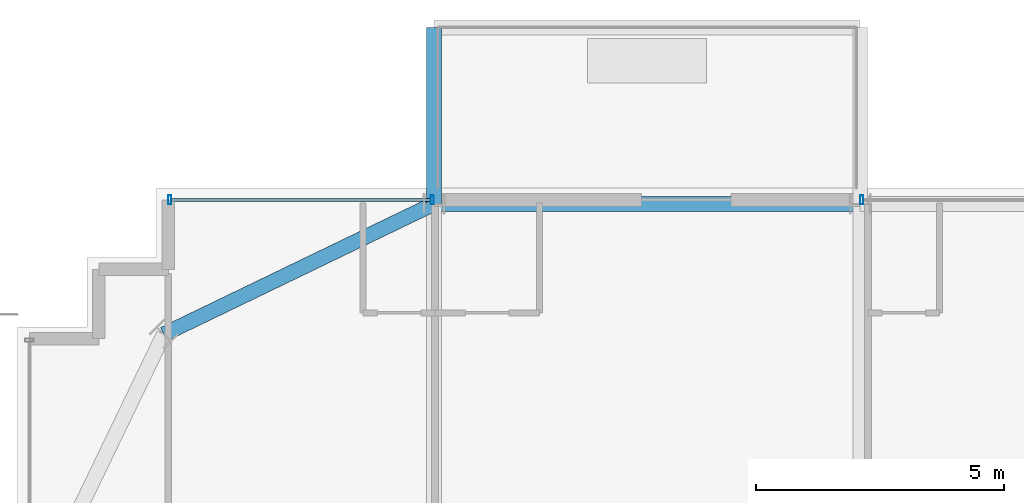
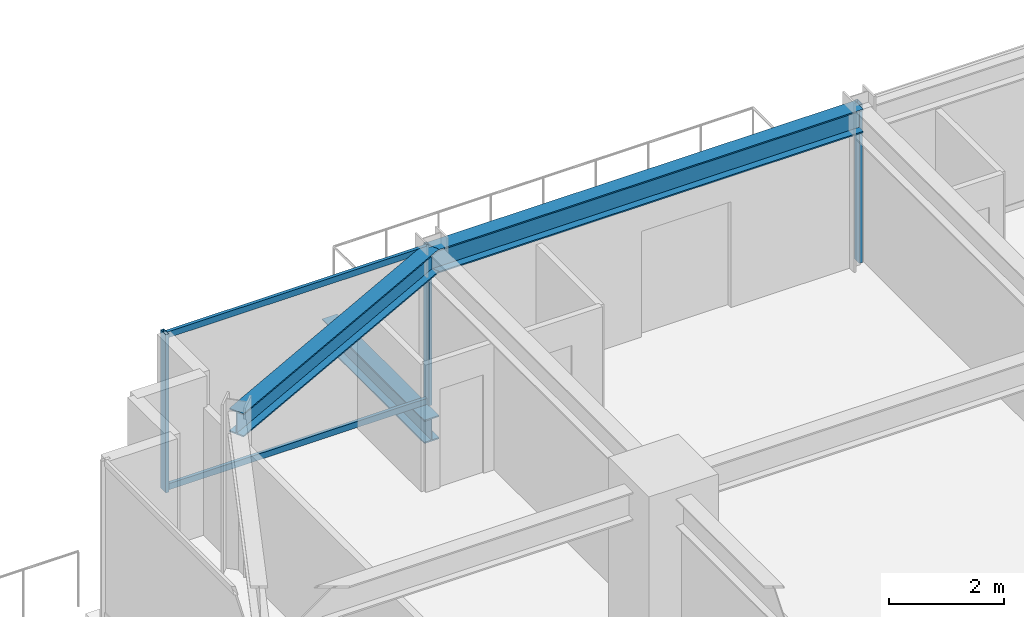
# One storey, part 22 of 39: 5 members, 3 beams, 2 elements without a shape of their own.
"""IFC4 building model written with IfcOpenShell, lengths in metres."""

from ifc_helpers import new_model, si_unit, direction, frame, origin, origin_2d, place, context, subcontext, project, spatial, hollow_rectangle, i_section, extrude, source, transform, mapped, material, material_profile, profile_set, type_object, element, aggregate, save


model = new_model("IFC4")

# Units and contexts
model_context = context("Model", 3, precision=1e-05, world=origin(), true_north=direction((0.0, 1.0)))
body_context = subcontext(model_context, "Body", "Model", "MODEL_VIEW")
ifc_project = project(units=[si_unit("LENGTHUNIT", "METRE"), si_unit("AREAUNIT", "SQUARE_METRE"), si_unit("VOLUMEUNIT", "CUBIC_METRE"), si_unit("PLANEANGLEUNIT", "RADIAN"), si_unit("MASSUNIT", "GRAM", prefix="KILO")], contexts=[model_context])

# Site, building, storey
site_placement = place(None, origin())
site = spatial("IfcSite", under=ifc_project, at=site_placement, CompositionType="ELEMENT")
building_placement = place(site_placement, origin())
building = spatial("IfcBuilding", under=site, at=building_placement, Name="Nahalor Promenade Grand Hotel", CompositionType="ELEMENT")
storey_placement = place(building_placement, frame((0.0, 0.0, 32.39990234375)))
storey = spatial("IfcBuildingStorey", under=building, at=storey_placement, Name="L06", CompositionType="ELEMENT", Elevation=32.39990234375)

# Beams
ifc_material_1 = material(Name="Steel S355JR", Category="steel")
ifc_material_profile_1 = material_profile(ifc_material_1, i_section(OverallWidth=0.3, OverallDepth=0.5, WebThickness=0.0145, FlangeThickness=0.028, at=origin_2d()), Name="HEB 500")
ifc_profile_set_1 = profile_set([ifc_material_profile_1], Name="Steel S355JR")
beam_type_1 = type_object("IfcBeamType", Name="Beam-Outrigger-HEB500", PredefinedType="BEAM", material=ifc_profile_set_1)
shared_shape_1 = source(origin(), body_context, "Body", "SweptSolid", [
    extrude(i_section(OverallWidth=0.3, OverallDepth=0.5, WebThickness=0.0145, FlangeThickness=0.028, at=origin_2d()), origin(), (0.0, 0.0, 1.0), 3.559814453125),
])
beam_1_placement = place(storey_placement, frame((-17.0, 25.080078125, -0.52978515625), z_axis=(0.0, 1.0, 0.0), x_axis=(-1.0, 0.0, 0.0)))
element("IfcBeam", 1, at=beam_1_placement, inside=storey, type_object=beam_type_1, Name="BM-L06-BC-01-1", PredefinedType="BEAM", context=body_context, shape_type="MappedRepresentation", body=[
    mapped(shared_shape_1, transform((0.0, 0.0, 0.0), scale=1.0)),
])
ifc_material_profile_2 = material_profile(ifc_material_1, i_section(OverallWidth=0.3, OverallDepth=0.5, WebThickness=0.0145, FlangeThickness=0.028, at=origin_2d()), Name="HEB 500")
ifc_profile_set_2 = profile_set([ifc_material_profile_2], Name="Steel S355JR")
beam_type_2 = type_object("IfcBeamType", Name="Beam-Spandrel-HEB500", PredefinedType="SPANDREL", material=ifc_profile_set_2)
shared_shape_2 = source(origin(), body_context, "Body", "SweptSolid", [
    extrude(i_section(OverallWidth=0.3, OverallDepth=0.5, WebThickness=0.0145, FlangeThickness=0.028, at=origin_2d()), origin(), (0.0, 0.0, 1.0), 8.60009765625),
])
beam_2_placement = place(storey_placement, frame((-17.0, 25.080078125, 3.1201171875), z_axis=(1.0, 0.0, 0.0), x_axis=(0.0, 1.0, 0.0)))
element("IfcBeam", 2, at=beam_2_placement, inside=storey, type_object=beam_type_2, Name="BM-L06-SP-N-0", PredefinedType="SPANDREL", context=body_context, shape_type="MappedRepresentation", body=[
    mapped(shared_shape_2, transform((0.0, 0.0, 0.0), scale=1.0)),
])
shared_shape_3 = source(origin(), body_context, "Body", "SweptSolid", [
    extrude(i_section(OverallWidth=0.3, OverallDepth=0.5, WebThickness=0.0145, FlangeThickness=0.028, at=origin_2d()), origin(), (0.0, 0.0, 1.0), 6.051513671875),
])
beam_3_placement = place(storey_placement, frame((-17.0, 25.080078125, 3.1201171875), z_axis=(-0.900608818852, -0.434630596492, 0.0), x_axis=(0.434630596492, -0.900608818852, 0.0)))
element("IfcBeam", 3, at=beam_3_placement, inside=storey, type_object=beam_type_2, Name="BM-L06-SPC-NW-1", PredefinedType="SPANDREL", context=body_context, shape_type="MappedRepresentation", body=[
    mapped(shared_shape_3, transform((0.0, 0.0, 0.0), scale=1.0)),
])

# Curtain wall, members
ifc_material_2 = material(Name="Anodised Bronze Aluminium EN AW-6063 T6", Category="aluminium")
curtain_wall_type = type_object("IfcCurtainWallType", Name="CW2 Typical Hotel Flush Bronze Unitised Curtain Wall", PredefinedType="USERDEFINED", material=ifc_material_2)
curtain_wall_1_placement = place(storey_placement, origin())
curtain_wall_1 = element("IfcCurtainWall", 4, at=curtain_wall_1_placement, inside=storey, type_object=curtain_wall_type, Name="L06 Curtain Wall CW-L06-N-1", ObjectType="UNITISED_CURTAIN_WALL", PredefinedType="USERDEFINED")
ifc_material_profile_3 = material_profile(ifc_material_2, hollow_rectangle(XDim=0.065, YDim=0.18, WallThickness=0.004, at=origin_2d()), Name="CWM 65x180x4")
ifc_profile_set_3 = profile_set([ifc_material_profile_3], Name="Anodised Bronze Aluminium EN AW-6063 T6")
member_type_1 = type_object("IfcMemberType", Name="CWM2 Typical Bronze Mullion 65x180", PredefinedType="MULLION", material=ifc_profile_set_3)
shared_shape_4 = source(origin(), body_context, "Body", "SweptSolid", [
    extrude(hollow_rectangle(XDim=0.065, YDim=0.18, WallThickness=0.004, at=origin_2d()), origin(), (0.0, 0.0, 1.0), 3.3701171875),
])
member_1_placement = place(storey_placement, frame((-22.327392578125, 25.159912109375, 0.0), z_axis=(0.0, 0.0, 1.0), x_axis=(1.0, 0.0, 0.0)))
member_1 = element("IfcMember", 5, at=member_1_placement, type_object=member_type_1, Name="CW-L06-N-1 Mullion 0", PredefinedType="MULLION", context=body_context, shape_type="MappedRepresentation", body=[
    mapped(shared_shape_4, transform((0.0, 0.0, 0.0), scale=1.0)),
])
member_2_placement = place(storey_placement, frame((-17.032470703125, 25.159912109375, 0.0), z_axis=(0.0, 0.0, 1.0), x_axis=(1.0, 0.0, 0.0)))
member_2 = element("IfcMember", 6, at=member_2_placement, type_object=member_type_1, Name="CW-L06-N-1 Mullion 1", PredefinedType="MULLION", context=body_context, shape_type="MappedRepresentation", body=[
    mapped(shared_shape_4, transform((0.0, 0.0, 0.0), scale=1.0)),
])

# Curtain wall, member
curtain_wall_2_placement = place(storey_placement, origin())
curtain_wall_2 = element("IfcCurtainWall", 7, at=curtain_wall_2_placement, inside=storey, type_object=curtain_wall_type, Name="L06 Curtain Wall CW-L06-N-3", ObjectType="UNITISED_CURTAIN_WALL", PredefinedType="USERDEFINED")
member_3_placement = place(storey_placement, frame((-8.367431640625, 25.159912109375, 0.0), z_axis=(0.0, 0.0, 1.0), x_axis=(1.0, 0.0, 0.0)))
member_3 = element("IfcMember", 8, at=member_3_placement, type_object=member_type_1, Name="CW-L06-N-3 Mullion 0", PredefinedType="MULLION", context=body_context, shape_type="MappedRepresentation", body=[
    mapped(shared_shape_4, transform((0.0, 0.0, 0.0), scale=1.0)),
])
aggregate(curtain_wall_2, [member_3])

# Member
ifc_material_profile_4 = material_profile(ifc_material_2, hollow_rectangle(XDim=0.065, YDim=0.13, WallThickness=0.004, at=origin_2d()), Name="CWT 65x130x4")
ifc_profile_set_4 = profile_set([ifc_material_profile_4], Name="Anodised Bronze Aluminium EN AW-6063 T6")
member_type_2 = type_object("IfcMemberType", Name="CWT2 Typical Bronze Transom 65x130", PredefinedType="USERDEFINED", material=ifc_profile_set_4)
shared_shape_5 = source(origin(), body_context, "Body", "SweptSolid", [
    extrude(hollow_rectangle(XDim=0.065, YDim=0.13, WallThickness=0.004, at=origin_2d()), origin(), (0.0, 0.0, 1.0), 5.22998046875),
])
member_4_placement = place(storey_placement, frame((-22.294921875, 25.159912109375, 0.065185546875), z_axis=(1.0, 0.0, 0.0), x_axis=(0.0, 1.0, 0.0)))
member_4 = element("IfcMember", 9, at=member_4_placement, type_object=member_type_2, Name="CW-L06-N-1 Transom 0-0", ObjectType="TRANSOM", PredefinedType="USERDEFINED", context=body_context, shape_type="MappedRepresentation", body=[
    mapped(shared_shape_5, transform((0.0, 0.0, 0.0), scale=1.0)),
])

member_5_placement = place(storey_placement, frame((-22.294921875, 25.159912109375, 3.30517578125), z_axis=(1.0, 0.0, 0.0), x_axis=(0.0, 1.0, 0.0)))
member_5 = element("IfcMember", 10, at=member_5_placement, type_object=member_type_2, Name="CW-L06-N-1 Transom 0-1", ObjectType="TRANSOM", PredefinedType="USERDEFINED", context=body_context, shape_type="MappedRepresentation", body=[
    mapped(shared_shape_5, transform((0.0, 0.0, 0.0), scale=1.0)),
])

aggregate(curtain_wall_1, [member_1, member_2, member_4, member_5])

save(model, "model.ifc")
